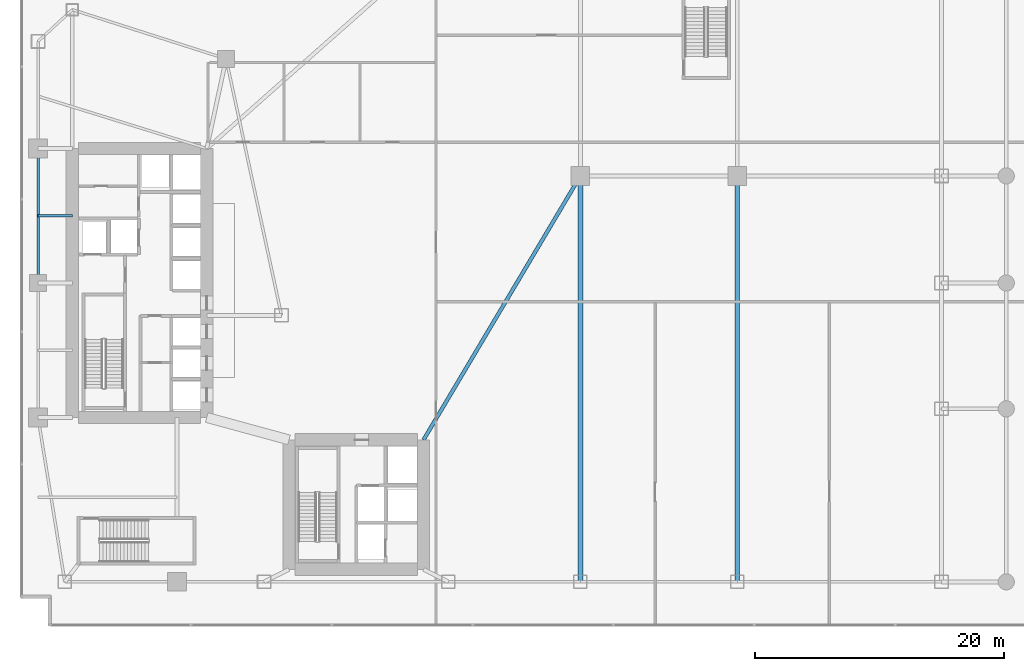
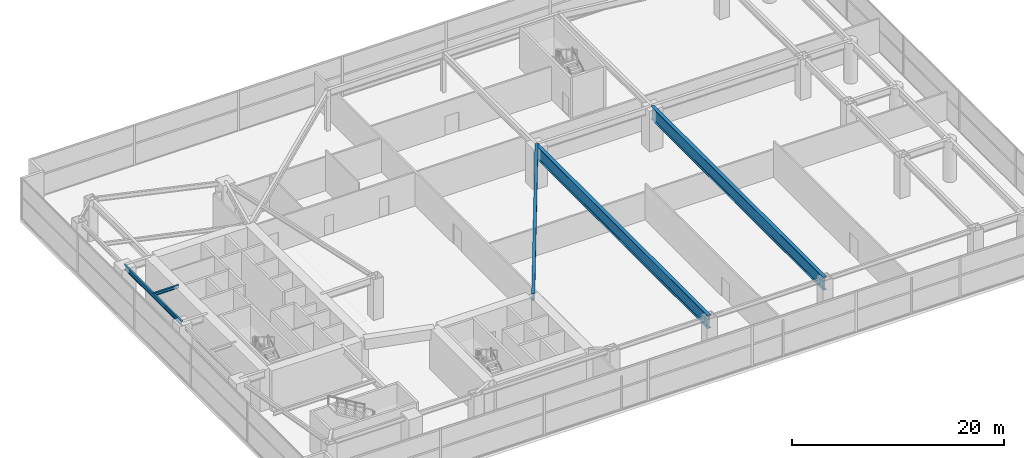
# One storey, part 13 of 35: 5 beams.
"""IFC4 building model written with IfcOpenShell, lengths in metres."""

import ifcopenshell
import ifcopenshell.guid

model = None  # the IFC model being written
_history = None  # IfcOwnerHistory: only IFC2X3 demands one
_inside = {}  # id of a spatial element -> (the spatial element, [elements in it])
_under = {}  # id of a project, library or spatial element -> (it, [spatial elements below it])
_declared = {}  # id of a project -> (the project, [libraries it declares])
_typed = {}  # id of a type object -> (the type object, [elements of that type])
_made_of = {}  # id of a material, layer set ... -> (it, [elements and type objects made of it])


def new_model(schema):
    """Start an empty IFC model of exactly this schema.

    Asked for "IFC4X3", IfcOpenShell would pick the latest addendum, in which some entities
    have other attributes; the version numbers below select the first issue.
    IFC2X3 requires an IfcOwnerHistory on every rooted entity: one is made here for all.
    """
    global model, _history
    if schema == "IFC4X3":
        model = ifcopenshell.file(schema_version=(4, 3, 0, 0))
    else:
        model = ifcopenshell.file(schema=schema)
    _inside.clear()
    _under.clear()
    _declared.clear()
    _typed.clear()
    _made_of.clear()
    _history = None
    if model.schema == "IFC2X3":
        org = make("IfcOrganization", Name="unknown")
        user = make(
            "IfcPersonAndOrganization",
            ThePerson=make("IfcPerson", FamilyName="unknown"),
            TheOrganization=org,
        )
        app = make(
            "IfcApplication",
            ApplicationDeveloper=org,
            Version="unknown",
            ApplicationFullName="unknown",
            ApplicationIdentifier="unknown",
        )
        _history = make(
            "IfcOwnerHistory",
            OwningUser=user,
            OwningApplication=app,
            ChangeAction="ADDED",
            CreationDate=0,
        )
    return model


def make(cls, **values):
    """One entity of the class cls with the attributes given. An attribute that is None is left unset."""
    return model.create_entity(
        cls, **{name: value for name, value in values.items() if value is not None}
    )


def rooted(cls, **values):
    """An entity with a GlobalId (a new one), such as an element, a storey or a relation."""
    return make(cls, GlobalId=ifcopenshell.guid.new(), OwnerHistory=_history, **values)


def si_unit(unit_type, name, prefix=None):
    """IfcSIUnit, for example si_unit("LENGTHUNIT", "METRE", prefix="MILLI")."""
    return make("IfcSIUnit", UnitType=unit_type, Prefix=prefix, Name=name)


def assignment(units):
    """IfcUnitAssignment: the units of a project."""
    return None if units is None else make("IfcUnitAssignment", Units=units)


def point(xyz):
    """IfcCartesianPoint."""
    return None if xyz is None else make("IfcCartesianPoint", Coordinates=xyz)


def direction(xyz):
    """IfcDirection."""
    return None if xyz is None else make("IfcDirection", DirectionRatios=xyz)


def frame(location, z_axis=None, x_axis=None):
    """IfcAxis2Placement3D, a coordinate frame: its origin and axes. An axis left out is left unset."""
    return make(
        "IfcAxis2Placement3D",
        Location=point(location),
        Axis=direction(z_axis),
        RefDirection=direction(x_axis),
    )


def frame_2d(location, x_axis=None):
    """IfcAxis2Placement2D, a coordinate frame in the plane: its origin and x axis."""
    return make(
        "IfcAxis2Placement2D", Location=point(location), RefDirection=direction(x_axis)
    )


def origin():
    """The frame at (0, 0, 0) with its axes left unset."""
    return frame((0.0, 0.0, 0.0))


def origin_2d():
    """The frame at (0, 0) in the plane with its x axis left unset."""
    return frame_2d((0.0, 0.0))


def place(relative_to, where):
    """IfcLocalPlacement: puts the frame where relative to a parent placement (None: the world)."""
    return make(
        "IfcLocalPlacement", PlacementRelTo=relative_to, RelativePlacement=where
    )


def context(
    kind, dimensions, precision=None, world=None, true_north=None, identifier=None
):
    """IfcGeometricRepresentationContext, for example the 3D "Model" context."""
    return make(
        "IfcGeometricRepresentationContext",
        ContextIdentifier=identifier,
        ContextType=kind,
        CoordinateSpaceDimension=dimensions,
        Precision=precision,
        WorldCoordinateSystem=world,
        TrueNorth=true_north,
    )


def subcontext(parent, identifier, kind, view, scale=None):
    """IfcGeometricRepresentationSubContext, for example "Body" below "Model"."""
    return make(
        "IfcGeometricRepresentationSubContext",
        ContextIdentifier=identifier,
        ContextType=kind,
        ParentContext=parent,
        TargetScale=scale,
        TargetView=view,
    )


def project(units=None, contexts=None):
    """IfcProject with its units and contexts."""
    return rooted(
        "IfcProject",
        Name="project",
        RepresentationContexts=contexts,
        UnitsInContext=assignment(units),
    )


def spatial(cls, under=None, at=None, **own):
    """A site, building, storey or space (cls), placed at a placement, below another one or the project."""
    s = rooted(cls, ObjectPlacement=at, **own)
    if under is not None:
        _under.setdefault(under.id(), (under, []))[1].append(s)
    return s


def profile(cls, at=None, kind="AREA", **sizes):
    """A parametric profile (cls). Its sizes go by their IFC names, for example OverallWidth=200.0."""
    return make(cls, ProfileType=kind, Position=at, **sizes)


def i_section(**sizes):
    """IfcIShapeProfileDef."""
    return profile("IfcIShapeProfileDef", **sizes)


def extrude(swept, where, along, depth):
    """IfcExtrudedAreaSolid: the profile swept, set in the frame where, extruded along a direction by depth."""
    return make(
        "IfcExtrudedAreaSolid",
        SweptArea=swept,
        Position=where,
        ExtrudedDirection=direction(along),
        Depth=depth,
    )


def shape(context_of_items, identifier, shape_type, items):
    """IfcShapeRepresentation: the items that make up one representation, for example the "Body"."""
    return make(
        "IfcShapeRepresentation",
        ContextOfItems=context_of_items,
        RepresentationIdentifier=identifier,
        RepresentationType=shape_type,
        Items=items,
    )


def material(Name=None, Category=None):
    """IfcMaterial."""
    return make("IfcMaterial", Name=Name, Category=Category)


def material_profile(
    of_material, cross_section, Name=None, Category=None, Priority=None
):
    """IfcMaterialProfile: a cross section and its material."""
    return make(
        "IfcMaterialProfile",
        Name=Name,
        Material=of_material,
        Profile=cross_section,
        Priority=Priority,
        Category=Category,
    )


def profile_set(profiles, Name=None, composite=None):
    """IfcMaterialProfileSet."""
    return make(
        "IfcMaterialProfileSet",
        Name=Name,
        MaterialProfiles=profiles,
        CompositeProfile=composite,
    )


def made_of(thing, what):
    """Note that an element or type object is made of a material, layer set ...; save() writes the relation."""
    if what is not None:
        _made_of.setdefault(what.id(), (what, []))[1].append(thing)
    return thing


def type_object(cls, material=None, **own):
    """A type object (cls), such as IfcWallType, which elements share."""
    return made_of(rooted(cls, **own), material)


def element(
    cls,
    number,
    at=None,
    inside=None,
    cuts=None,
    type_object=None,
    material=None,
    context=None,
    identifier="Body",
    shape_type=None,
    held_by="IfcProductDefinitionShape",
    body=None,
    shapes=None,
    **own,
):
    """One element of the class cls, such as IfcWall. Its Tag is "e" and its number.

    at: its placement. inside: the storey or other place that contains it. cuts: it is an
    opening in that element (IfcRelVoidsElement). A single representation is given by context,
    identifier, shape_type and body (its items); several are given by shapes. held_by: the class
    of the entity that holds the representations. save() writes the other relations.
    """
    e = rooted(cls, Tag="e%d" % number, ObjectPlacement=at, **own)
    if body is not None:
        shapes = [shape(context, identifier, shape_type, body)]
    if shapes is not None:
        e.Representation = make(held_by, Representations=shapes)
    if inside is not None:
        _inside.setdefault(inside.id(), (inside, []))[1].append(e)
    if cuts is not None:
        rooted(
            "IfcRelVoidsElement", RelatingBuildingElement=cuts, RelatedOpeningElement=e
        )
    if type_object is not None:
        _typed.setdefault(type_object.id(), (type_object, []))[1].append(e)
    return made_of(e, material)


def aggregate(whole, parts):
    """IfcRelAggregates: a whole, such as a stair, and the parts it consists of."""
    return rooted("IfcRelAggregates", RelatingObject=whole, RelatedObjects=parts)


def save(model, path):
    """Write the relations noted so far, then the file.

    IfcRelAggregates (storeys below a building ...), IfcRelContainedInSpatialStructure (elements
    in a storey), IfcRelDefinesByType, IfcRelAssociatesMaterial and IfcRelDeclares: one each for
    every whole, place, type object, material and project.
    """
    for whole, parts in _under.values():
        aggregate(whole, parts)
    for where, things in _inside.values():
        rooted(
            "IfcRelContainedInSpatialStructure",
            RelatedElements=things,
            RelatingStructure=where,
        )
    for kind, things in _typed.values():
        rooted("IfcRelDefinesByType", RelatedObjects=things, RelatingType=kind)
    for what, things in _made_of.values():
        rooted("IfcRelAssociatesMaterial", RelatedObjects=things, RelatingMaterial=what)
    for by, libraries in _declared.values():
        rooted("IfcRelDeclares", RelatingContext=by, RelatedDefinitions=libraries)
    model.write(path)


model = new_model("IFC4")

# Units and contexts
model_context = context("Model", 3, precision=1e-05, world=origin(), true_north=direction((0.0, 1.0)))
body_context = subcontext(model_context, "Body", "Model", "MODEL_VIEW")
ifc_project = project(units=[si_unit("LENGTHUNIT", "METRE"), si_unit("AREAUNIT", "SQUARE_METRE"), si_unit("VOLUMEUNIT", "CUBIC_METRE"), si_unit("PLANEANGLEUNIT", "RADIAN"), si_unit("MASSUNIT", "GRAM", prefix="KILO")], contexts=[model_context])

# Site, building, storey
site_placement = place(None, origin())
site = spatial("IfcSite", under=ifc_project, at=site_placement, CompositionType="ELEMENT")
building_placement = place(site_placement, origin())
building = spatial("IfcBuilding", under=site, at=building_placement, Name="Calvorn Quay Hotel", CompositionType="ELEMENT")
storey_placement = place(building_placement, frame((0.0, 0.0, 12.0)))
storey = spatial("IfcBuildingStorey", under=building, at=storey_placement, Name="L02", CompositionType="ELEMENT", Elevation=12.0)

# Beams
ifc_material_1 = material(Name="Steel Q390GJC", Category="steel")
ifc_material_profile_1 = material_profile(ifc_material_1, i_section(OverallWidth=0.300048828125, OverallDepth=0.800048828125, WebThickness=0.013916015625, FlangeThickness=0.02587890625, FilletRadius=0.02392578125, at=origin_2d()), Name="HN800x300x14x26")
ifc_profile_set_1 = profile_set([ifc_material_profile_1], Name="Steel Q390GJC")
beam_type_1 = type_object("IfcBeamType", Name="BM-GIRD-POD", PredefinedType="BEAM", material=ifc_profile_set_1)
beam_1_placement = place(storey_placement, frame((32.39990234375, 15.0, 4.280029296875), z_axis=(0.510917247409, 0.859629900771, 0.0), x_axis=(-0.859629900771, 0.510917247409, 0.0)))
element("IfcBeam", 1, at=beam_1_placement, inside=storey, type_object=beam_type_1, Name="Beam BG-L02-PN1", PredefinedType="BEAM", context=body_context, shape_type="SweptSolid", body=[
    extrude(i_section(OverallWidth=0.300048828125, OverallDepth=0.800048828125, WebThickness=0.013916015625, FlangeThickness=0.02587890625, FilletRadius=0.02392578125, at=origin_2d()), origin(), (0.0, 0.0, 1.0), 24.66162109375),
])
ifc_material_2 = material(Name="Steel Q355B", Category="steel")
ifc_material_profile_2 = material_profile(ifc_material_2, i_section(OverallWidth=0.175048828125, OverallDepth=0.35009765625, WebThickness=0.007080078125, FlangeThickness=0.010986328125, FilletRadius=0.013916015625, at=origin_2d()), Name="HN350x175x7x11")
ifc_profile_set_2 = profile_set([ifc_material_profile_2], Name="Steel Q355B")
beam_type_2 = type_object("IfcBeamType", Name="BM-JOIST-SEC", PredefinedType="JOIST", material=ifc_profile_set_2)
beam_2_placement = place(storey_placement, frame((1.449951171875, 33.0, 4.5048828125), z_axis=(1.0, 0.0, 0.0), x_axis=(0.0, 1.0, 0.0)))
element("IfcBeam", 2, at=beam_2_placement, inside=storey, type_object=beam_type_2, Name="Beam BJ-L02-W4", PredefinedType="JOIST", context=body_context, shape_type="SweptSolid", body=[
    extrude(i_section(OverallWidth=0.175048828125, OverallDepth=0.35009765625, WebThickness=0.007080078125, FlangeThickness=0.010986328125, FilletRadius=0.013916015625, at=origin_2d()), origin(), (0.0, 0.0, 1.0), 2.75),
])
ifc_material_3 = material(Name="Steel Q355B", Category="steel")
ifc_material_profile_3 = material_profile(ifc_material_3, i_section(OverallWidth=0.199951171875, OverallDepth=0.5, WebThickness=0.010009765625, FlangeThickness=0.01611328125, FilletRadius=0.01611328125, at=origin_2d()), Name="HN500x200x10x16")
ifc_profile_set_3 = profile_set([ifc_material_profile_3], Name="Steel Q355B")
beam_type_3 = type_object("IfcBeamType", Name="BM-SPANDREL-Z1", PredefinedType="SPANDREL", material=ifc_profile_set_3)
beam_3_placement = place(storey_placement, frame((1.449951171875, 27.60009765625, 4.429931640625), z_axis=(0.0, 1.0, 0.0), x_axis=(-1.0, 0.0, 0.0)))
element("IfcBeam", 3, at=beam_3_placement, inside=storey, type_object=beam_type_3, Name="Beam BSP-L02-W3", PredefinedType="SPANDREL", context=body_context, shape_type="SweptSolid", body=[
    extrude(i_section(OverallWidth=0.199951171875, OverallDepth=0.5, WebThickness=0.010009765625, FlangeThickness=0.01611328125, FilletRadius=0.01611328125, at=origin_2d()), origin(), (0.0, 0.0, 1.0), 10.7998046875),
])
ifc_material_4 = material(Name="Steel Q420GJC", Category="steel")
ifc_material_profile_4 = material_profile(ifc_material_4, i_section(OverallWidth=0.3798828125, OverallDepth=1.5, WebThickness=0.02197265625, FlangeThickness=0.0380859375, FilletRadius=0.02392578125, at=origin_2d()), Name="HN1500x380x22x38")
ifc_profile_set_4 = profile_set([ifc_material_profile_4], Name="Steel Q420GJC")
beam_type_4 = type_object("IfcBeamType", Name="BM-XFER-STEP2", PredefinedType="BEAM", material=ifc_profile_set_4)
for number, where, z_axis, x_axis, name in (
    (4, (45.0, 3.60009765625, 3.929931640625), (0.0, 1.0, 0.0), (-1.0, 0.0, 0.0), "Beam BG-L02-C-PN1"),
    (5, (57.60009765625, 3.60009765625, 3.929931640625), (0.0, 1.0, 0.0), (-1.0, 0.0, 0.0), "Beam BG-L02-C-PN2"),
):
    element("IfcBeam", number, at=place(storey_placement, frame(where, z_axis=z_axis, x_axis=x_axis)), inside=storey, type_object=beam_type_4, Name=name, PredefinedType="BEAM", context=body_context, shape_type="SweptSolid", body=[
        extrude(i_section(OverallWidth=0.3798828125, OverallDepth=1.5, WebThickness=0.02197265625, FlangeThickness=0.0380859375, FilletRadius=0.02392578125, at=origin_2d()), origin(), (0.0, 0.0, 1.0), 32.599853515625),
    ])

save(model, "model.ifc")
